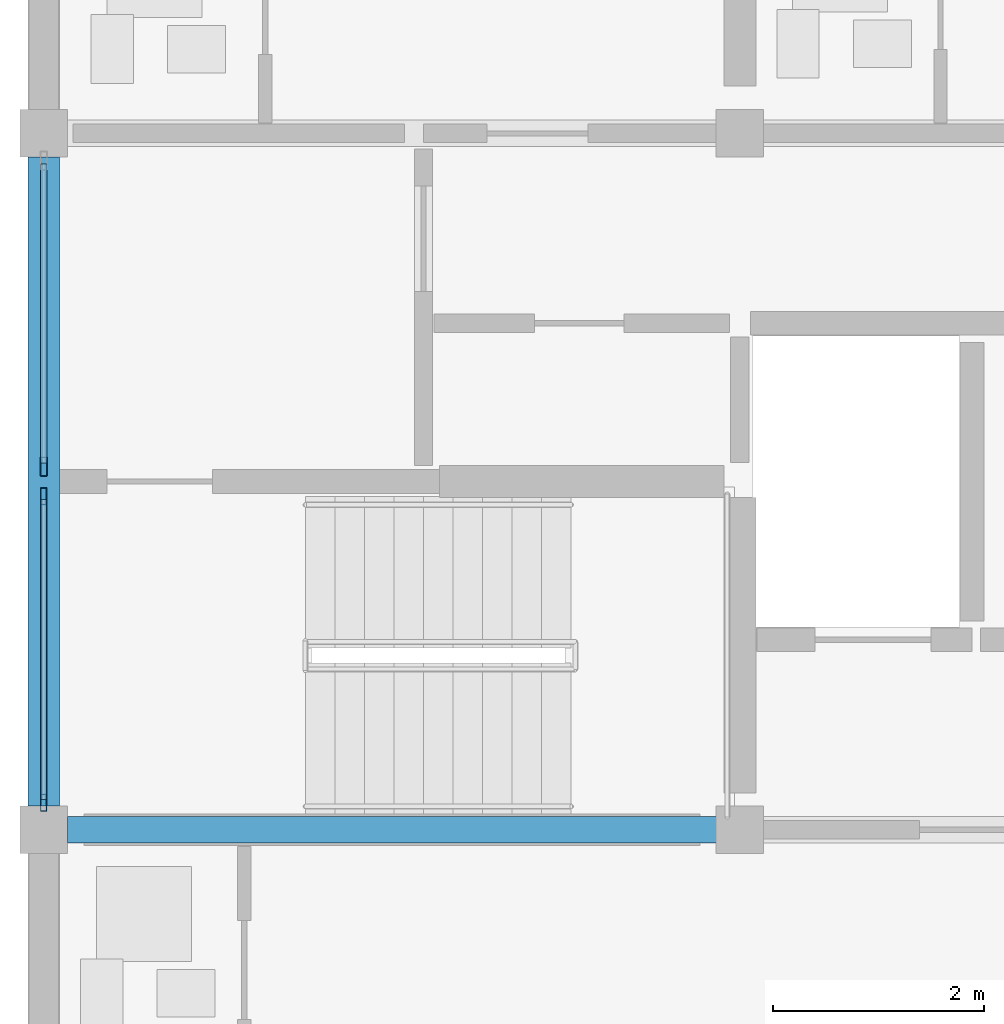
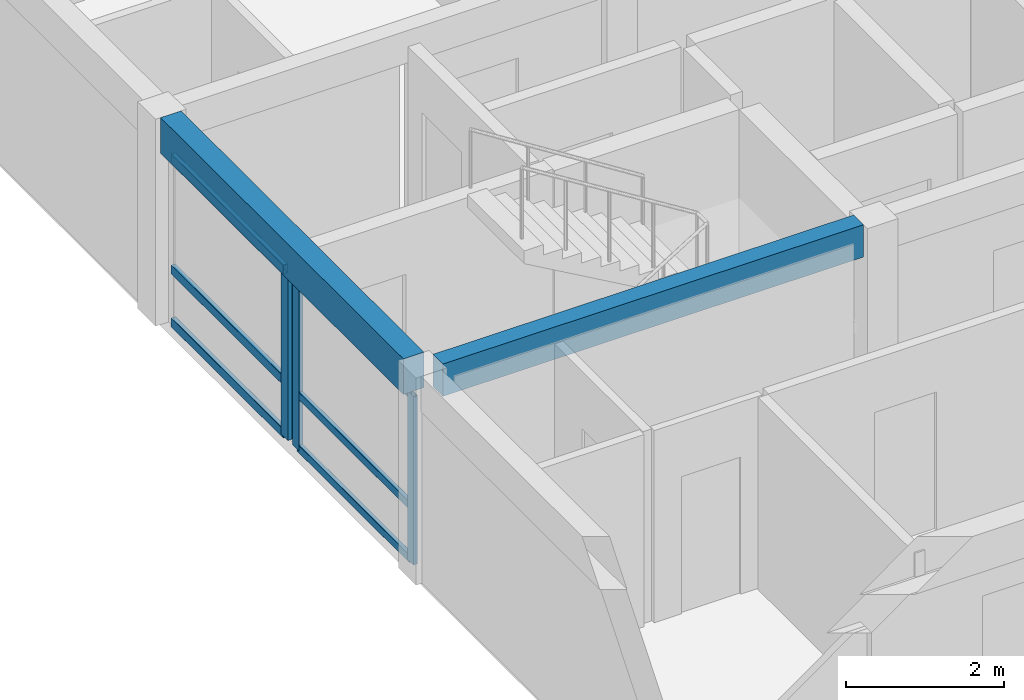
# One storey, part 8 of 34: 9 members, 2 beams, 2 elements without a shape of their own.
"""IFC4 building model written with IfcOpenShell, lengths in metres."""

from ifc_helpers import new_model, si_unit, direction, frame, origin, origin_2d, place, context, subcontext, project, spatial, rectangle, hollow_rectangle, extrude, material, material_profile, profile_set, type_object, element, aggregate, save


model = new_model("IFC4")

# Units and contexts
model_context = context("Model", 3, precision=1e-05, world=origin(), true_north=direction((0.0, 1.0)))
body_context = subcontext(model_context, "Body", "Model", "MODEL_VIEW")
ifc_project = project(units=[si_unit("LENGTHUNIT", "METRE"), si_unit("AREAUNIT", "SQUARE_METRE"), si_unit("VOLUMEUNIT", "CUBIC_METRE"), si_unit("PLANEANGLEUNIT", "RADIAN"), si_unit("MASSUNIT", "GRAM", prefix="KILO")], contexts=[model_context])

# Site, building, storey
site_placement = place(None, origin())
site = spatial("IfcSite", under=ifc_project, at=site_placement, CompositionType="ELEMENT")
building_placement = place(site_placement, origin())
building = spatial("IfcBuilding", under=site, at=building_placement, Name="Kernevlak Ridge Housing Community", CompositionType="ELEMENT")
storey_placement = place(building_placement, frame((0.0, 0.0, 34.0)))
storey = spatial("IfcBuildingStorey", under=building, at=storey_placement, Name="L10", CompositionType="ELEMENT", Elevation=34.0)

# Beam
ifc_material_1 = material(Name="Concrete C35/45", Category="concrete")
ifc_material_profile_1 = material_profile(ifc_material_1, rectangle(XDim=0.25, YDim=0.5, at=origin_2d()), Name="RC 250x500")
ifc_profile_set_1 = profile_set([ifc_material_profile_1], Name="Concrete C35/45")
beam_type_1 = type_object("IfcBeamType", Name="B-06", PredefinedType="T_BEAM", material=ifc_profile_set_1)
beam_1_placement = place(storey_placement, frame((15.824951171875, 82.60009765625, 2.949951171875), z_axis=(1.0, 0.0, 0.0), x_axis=(0.0, 1.0, 0.0)))
element("IfcBeam", 1, at=beam_1_placement, inside=storey, type_object=beam_type_1, Name="Beam B-06 L10 322", PredefinedType="T_BEAM", context=body_context, shape_type="SweptSolid", body=[
    extrude(rectangle(XDim=0.25, YDim=0.5, at=origin_2d()), origin(), (0.0, 0.0, 1.0), 6.150146484375),
])

# Curtain wall, members
ifc_material_2 = material(Name="Aluminium EN AW-6060 anodised and laminated glass", Category="aluminium")
curtain_wall_type_1 = type_object("IfcCurtainWallType", Name="CW-01", PredefinedType="NOTDEFINED", material=ifc_material_2)
curtain_wall_1_placement = place(storey_placement, origin())
curtain_wall_1 = element("IfcCurtainWall", 2, at=curtain_wall_1_placement, inside=storey, type_object=curtain_wall_type_1, Name="Curtain wall CW-01 CW-L10-031", PredefinedType="NOTDEFINED")
ifc_material_3 = material(Name="Aluminium EN AW-6060 anodised", Category="aluminium")
ifc_material_profile_2 = material_profile(ifc_material_3, hollow_rectangle(XDim=0.06005859375, YDim=0.159912109375, WallThickness=0.00390625, InnerFilletRadius=0.001953125, OuterFilletRadius=0.00390625, at=origin_2d()), Name="ALU 60x160x4")
ifc_profile_set_2 = profile_set([ifc_material_profile_2], Name="Aluminium EN AW-6060 anodised")
member_type_1 = type_object("IfcMemberType", Name="MU-02", PredefinedType="MULLION", material=ifc_profile_set_2)
member_1_placement = place(storey_placement, frame((15.60009765625, 82.85498046875, 0.0), z_axis=(0.0, 0.0, 1.0), x_axis=(-1.0, 0.0, 0.0)))
member_1 = element("IfcMember", 3, at=member_1_placement, type_object=member_type_1, Name="CW-01 mullion 1", PredefinedType="MULLION", context=body_context, shape_type="SweptSolid", body=[
    extrude(hollow_rectangle(XDim=0.06005859375, YDim=0.159912109375, WallThickness=0.00390625, InnerFilletRadius=0.001953125, OuterFilletRadius=0.00390625, at=origin_2d()), origin(), (0.0, 0.0, 1.0), 2.60009765625),
])
member_2_placement = place(storey_placement, frame((15.60009765625, 85.760009765625, 0.0), z_axis=(0.0, 0.0, 1.0), x_axis=(-1.0, 0.0, 0.0)))
member_2 = element("IfcMember", 4, at=member_2_placement, type_object=member_type_1, Name="CW-01 mullion 2", PredefinedType="MULLION", context=body_context, shape_type="SweptSolid", body=[
    extrude(hollow_rectangle(XDim=0.06005859375, YDim=0.159912109375, WallThickness=0.00390625, InnerFilletRadius=0.001953125, OuterFilletRadius=0.00390625, at=origin_2d()), origin(), (0.0, 0.0, 1.0), 2.60009765625),
])

# Curtain wall, member
curtain_wall_type_2 = type_object("IfcCurtainWallType", Name="CW-08", PredefinedType="NOTDEFINED", material=ifc_material_2)
curtain_wall_2_placement = place(storey_placement, origin())
curtain_wall_2 = element("IfcCurtainWall", 5, at=curtain_wall_2_placement, inside=storey, type_object=curtain_wall_type_2, Name="Curtain wall CW-08 CW-L10-032", PredefinedType="NOTDEFINED")
ifc_material_profile_3 = material_profile(ifc_material_3, hollow_rectangle(XDim=0.06494140625, YDim=0.179931640625, WallThickness=0.00439453125, InnerFilletRadius=0.001953125, OuterFilletRadius=0.00439453125, at=origin_2d()), Name="ALU 65x180x4.5")
ifc_profile_set_3 = profile_set([ifc_material_profile_3], Name="Aluminium EN AW-6060 anodised")
member_type_2 = type_object("IfcMemberType", Name="MU-03", PredefinedType="MULLION", material=ifc_profile_set_3)
member_3_placement = place(storey_placement, frame((15.60009765625, 86.04248046875, 0.0), z_axis=(0.0, 0.0, 1.0), x_axis=(-1.0, 0.0, 0.0)))
member_3 = element("IfcMember", 6, at=member_3_placement, type_object=member_type_2, Name="CW-08 mullion 1", PredefinedType="MULLION", context=body_context, shape_type="SweptSolid", body=[
    extrude(hollow_rectangle(XDim=0.06494140625, YDim=0.179931640625, WallThickness=0.00439453125, InnerFilletRadius=0.001953125, OuterFilletRadius=0.00439453125, at=origin_2d()), origin(), (0.0, 0.0, 1.0), 2.60009765625),
])

# Beam
ifc_material_profile_4 = material_profile(ifc_material_1, rectangle(XDim=0.300048828125, YDim=0.550048828125, at=origin_2d()), Name="RC 300x550")
ifc_profile_set_4 = profile_set([ifc_material_profile_4], Name="Concrete C35/45")
beam_type_2 = type_object("IfcBeamType", Name="SP-01", PredefinedType="SPANDREL", material=ifc_profile_set_4)
beam_2_placement = place(storey_placement, frame((15.60009765625, 82.824951171875, 2.925048828125), z_axis=(0.0, 1.0, 0.0), x_axis=(-1.0, 0.0, 0.0)))
element("IfcBeam", 7, at=beam_2_placement, inside=storey, type_object=beam_type_2, Name="Beam SP-01 L10 338", PredefinedType="SPANDREL", context=body_context, shape_type="SweptSolid", body=[
    extrude(rectangle(XDim=0.300048828125, YDim=0.550048828125, at=origin_2d()), origin(), (0.0, 0.0, 1.0), 6.150146484375),
])

# Member
ifc_material_profile_5 = material_profile(ifc_material_3, hollow_rectangle(XDim=0.06005859375, YDim=0.1201171875, WallThickness=0.00390625, InnerFilletRadius=0.001953125, OuterFilletRadius=0.00390625, at=origin_2d()), Name="ALU 60x120x4")
ifc_profile_set_5 = profile_set([ifc_material_profile_5], Name="Aluminium EN AW-6060 anodised")
member_type_3 = type_object("IfcMemberType", Name="TM-02", PredefinedType="USERDEFINED", material=ifc_profile_set_5)
member_4_placement = place(storey_placement, frame((15.60009765625, 82.885009765625, 0.030029296875), z_axis=(0.0, 1.0, 0.0), x_axis=(-1.0, 0.0, 0.0)))
member_4 = element("IfcMember", 8, at=member_4_placement, type_object=member_type_3, Name="CW-01 transom 1.1", ObjectType="TRANSOM", PredefinedType="USERDEFINED", context=body_context, shape_type="SweptSolid", body=[
    extrude(hollow_rectangle(XDim=0.06005859375, YDim=0.1201171875, WallThickness=0.00390625, InnerFilletRadius=0.001953125, OuterFilletRadius=0.00390625, at=origin_2d()), origin(), (0.0, 0.0, 1.0), 2.844970703125),
])

member_5_placement = place(storey_placement, frame((15.60009765625, 82.885009765625, 0.85009765625), z_axis=(0.0, 1.0, 0.0), x_axis=(-1.0, 0.0, 0.0)))
member_5 = element("IfcMember", 9, at=member_5_placement, type_object=member_type_3, Name="CW-01 transom 1.2", ObjectType="TRANSOM", PredefinedType="USERDEFINED", context=body_context, shape_type="SweptSolid", body=[
    extrude(hollow_rectangle(XDim=0.06005859375, YDim=0.1201171875, WallThickness=0.00390625, InnerFilletRadius=0.001953125, OuterFilletRadius=0.00390625, at=origin_2d()), origin(), (0.0, 0.0, 1.0), 2.844970703125),
])

member_6_placement = place(storey_placement, frame((15.60009765625, 82.885009765625, 2.570068359375), z_axis=(0.0, 1.0, 0.0), x_axis=(-1.0, 0.0, 0.0)))
member_6 = element("IfcMember", 10, at=member_6_placement, type_object=member_type_3, Name="CW-01 transom 1.3", ObjectType="TRANSOM", PredefinedType="USERDEFINED", context=body_context, shape_type="SweptSolid", body=[
    extrude(hollow_rectangle(XDim=0.06005859375, YDim=0.1201171875, WallThickness=0.00390625, InnerFilletRadius=0.001953125, OuterFilletRadius=0.00390625, at=origin_2d()), origin(), (0.0, 0.0, 1.0), 2.844970703125),
])

aggregate(curtain_wall_1, [member_1, member_2, member_4, member_5, member_6])

ifc_material_profile_6 = material_profile(ifc_material_3, hollow_rectangle(XDim=0.06494140625, YDim=0.139892578125, WallThickness=0.00390625, InnerFilletRadius=0.001953125, OuterFilletRadius=0.00390625, at=origin_2d()), Name="ALU 65x140x4")
ifc_profile_set_6 = profile_set([ifc_material_profile_6], Name="Aluminium EN AW-6060 anodised")
member_type_4 = type_object("IfcMemberType", Name="TM-03", PredefinedType="USERDEFINED", material=ifc_profile_set_6)
member_7_placement = place(storey_placement, frame((15.60009765625, 86.074951171875, 0.032470703125), z_axis=(0.0, 1.0, 0.0), x_axis=(-1.0, 0.0, 0.0)))
member_7 = element("IfcMember", 11, at=member_7_placement, type_object=member_type_4, Name="CW-08 transom 1.1", ObjectType="TRANSOM", PredefinedType="USERDEFINED", context=body_context, shape_type="SweptSolid", body=[
    extrude(hollow_rectangle(XDim=0.06494140625, YDim=0.139892578125, WallThickness=0.00390625, InnerFilletRadius=0.001953125, OuterFilletRadius=0.00390625, at=origin_2d()), origin(), (0.0, 0.0, 1.0), 2.8349609375),
])

member_8_placement = place(storey_placement, frame((15.60009765625, 86.074951171875, 0.85009765625), z_axis=(0.0, 1.0, 0.0), x_axis=(-1.0, 0.0, 0.0)))
member_8 = element("IfcMember", 12, at=member_8_placement, type_object=member_type_4, Name="CW-08 transom 1.2", ObjectType="TRANSOM", PredefinedType="USERDEFINED", context=body_context, shape_type="SweptSolid", body=[
    extrude(hollow_rectangle(XDim=0.06494140625, YDim=0.139892578125, WallThickness=0.00390625, InnerFilletRadius=0.001953125, OuterFilletRadius=0.00390625, at=origin_2d()), origin(), (0.0, 0.0, 1.0), 2.8349609375),
])

member_9_placement = place(storey_placement, frame((15.60009765625, 86.074951171875, 2.5673828125), z_axis=(0.0, 1.0, 0.0), x_axis=(-1.0, 0.0, 0.0)))
member_9 = element("IfcMember", 13, at=member_9_placement, type_object=member_type_4, Name="CW-08 transom 1.3", ObjectType="TRANSOM", PredefinedType="USERDEFINED", context=body_context, shape_type="SweptSolid", body=[
    extrude(hollow_rectangle(XDim=0.06494140625, YDim=0.139892578125, WallThickness=0.00390625, InnerFilletRadius=0.001953125, OuterFilletRadius=0.00390625, at=origin_2d()), origin(), (0.0, 0.0, 1.0), 2.8349609375),
])

aggregate(curtain_wall_2, [member_3, member_7, member_8, member_9])

save(model, "model.ifc")
